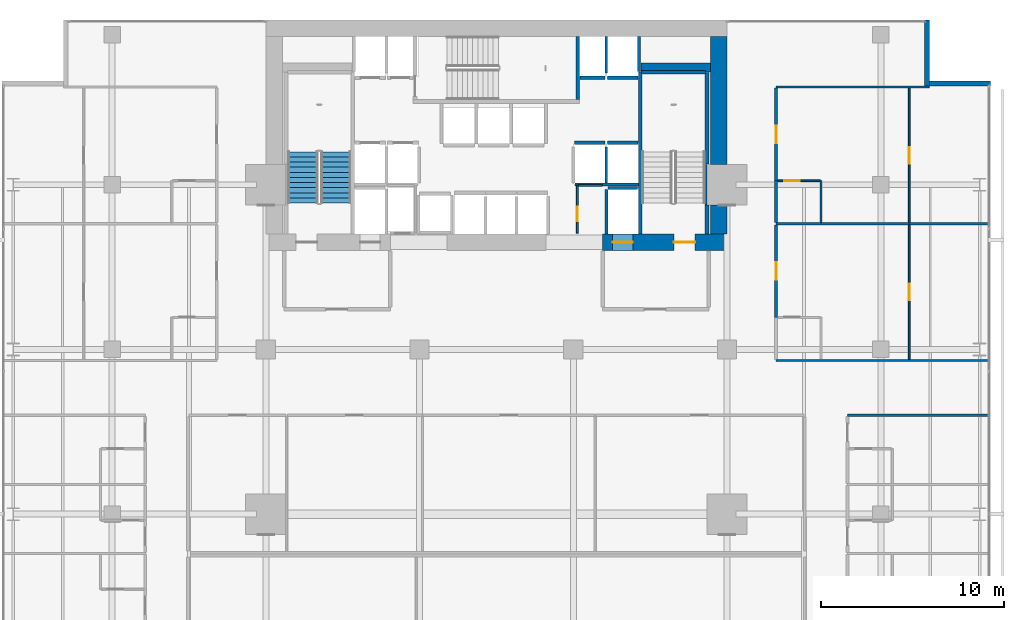
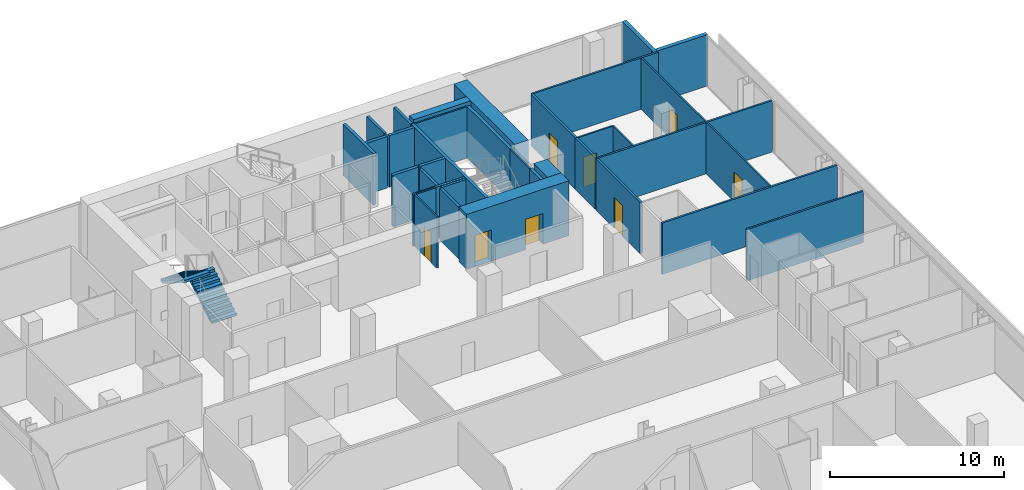
# One storey, part 37 of 40: 35 walls, 8 doors, 2 stair flights, 8 openings, 1 element without a shape of its own.
"""IFC4 building model written with IfcOpenShell, lengths in metres."""

from ifc_helpers import new_model, si_unit, direction, frame, frame_2d, origin, place, context, subcontext, project, spatial, polyline, rectangle, outline, extrude, material, layer, layer_set, type_object, element, fill, aggregate, save


model = new_model("IFC4")

# Units and contexts
model_context = context("Model", 3, precision=1e-05, world=origin(), true_north=direction((0.0, 1.0)))
body_context = subcontext(model_context, "Body", "Model", "MODEL_VIEW")
ifc_project = project(units=[si_unit("LENGTHUNIT", "METRE"), si_unit("AREAUNIT", "SQUARE_METRE"), si_unit("VOLUMEUNIT", "CUBIC_METRE"), si_unit("PLANEANGLEUNIT", "RADIAN"), si_unit("MASSUNIT", "GRAM", prefix="KILO")], contexts=[model_context])

# Site, building, storey
site_placement = place(None, origin())
site = spatial("IfcSite", under=ifc_project, at=site_placement, CompositionType="ELEMENT")
building_placement = place(site_placement, origin())
building = spatial("IfcBuilding", under=site, at=building_placement, Name="Maruvema Waterfront Hotel and Observation Tower", CompositionType="ELEMENT")
storey_placement = place(building_placement, frame((0.0, 0.0, 103.949951171875)))
storey = spatial("IfcBuildingStorey", under=building, at=storey_placement, Name="L25", CompositionType="ELEMENT", Elevation=103.949951171875)

# Wall, opening, door
ifc_material_1 = material(Name="Twin-stud acoustic gypsum drywall", Category="gypsum")
ifc_layer_1 = layer(ifc_material_1, 0.14990234375, Name="Acoustic Corridor and Suite Demising Wall 150 mm")
ifc_layer_set_1 = layer_set([ifc_layer_1], Name="Twin-stud acoustic gypsum drywall")
wall_type_1 = type_object("IfcWallType", Name="Acoustic Corridor and Suite Demising Wall 150 mm", PredefinedType="PARTITIONING", material=ifc_layer_set_1)
wall_1_placement = place(storey_placement, frame((53.080078125, 37.75, 0.0), z_axis=(0.0, 0.0, 1.0), x_axis=(0.0, 1.0, 0.0)))
wall_1 = element("IfcWall", 1, at=wall_1_placement, inside=storey, type_object=wall_type_1, Name="L25 Room L25-NE1 Corridor Wall 109", PredefinedType="PARTITIONING", context=body_context, shape_type="SweptSolid", body=[
    extrude(rectangle(XDim=5.05859375, YDim=0.14990234375, at=frame_2d((2.529296875, 0.0))), origin(), (0.0, 0.0, 1.0), 3.610107421875),
])
opening_1_placement = place(wall_1_placement, frame((2.054443359375, 0.0, 0.0)))
opening_1 = element("IfcOpeningElement", 2, at=opening_1_placement, cuts=wall_1, Name="Opening DR-095", PredefinedType="OPENING", context=body_context, shape_type="SweptSolid", body=[
    extrude(rectangle(XDim=0.949951171875, YDim=2.14990234375, at=frame_2d((0.47509765625, 1.074951171875))), frame((0.0, 0.0849609375, 0.0), z_axis=(0.0, -1.0, 0.0), x_axis=(1.0, 0.0, 0.0)), (0.0, 0.0, 1.0), 0.169921875),
])
ifc_material_2 = material(Name="Acoustic solid-core hardwood timber leaf", Category="wood")
door_type_1 = type_object("IfcDoorType", Name="Guestroom Entrance Fire Door 950x2150 mm", OperationType="NOTDEFINED", PredefinedType="DOOR", material=ifc_material_2)
door_1_placement = place(opening_1_placement, frame((0.949951171875, 0.0, 0.0), z_axis=(0.0, 0.0, 1.0), x_axis=(-1.0, 0.0, 0.0)))
door_1 = element("IfcDoor", 3, at=door_1_placement, inside=storey, type_object=door_type_1, Name="L25 Room L25-NE1 Entrance Door", OperationType="SINGLE_SWING_RIGHT", OverallHeight=2.14990234375, OverallWidth=0.949951171875, PredefinedType="DOOR", context=body_context, shape_type="SweptSolid", body=[
    extrude(rectangle(XDim=0.949951171875, YDim=2.14990234375, at=frame_2d((0.47509765625, 1.074951171875))), frame((0.0, 0.02490234375, 0.0), z_axis=(0.0, -1.0, 0.0), x_axis=(1.0, 0.0, 0.0)), (0.0, 0.0, 1.0), 0.050048828125),
])
fill(opening_1, door_1)

# Wall
wall_2_placement = place(storey_placement, frame((53.080078125, 42.9287109375, 0.0), z_axis=(0.0, 0.0, 1.0), x_axis=(0.0, 1.0, 0.0)))
element("IfcWall", 4, at=wall_2_placement, inside=storey, type_object=wall_type_1, Name="L25 Bath L25-NE2 Wall 120", PredefinedType="PARTITIONING", context=body_context, shape_type="SweptSolid", body=[
    extrude(rectangle(XDim=2.2900390625, YDim=0.14990234375, at=frame_2d((1.14501953125, 0.0))), origin(), (0.0, 0.0, 1.0), 3.610107421875),
])

# Wall, opening, door
wall_3_placement = place(storey_placement, frame((53.080078125, 45.21875, 0.0), z_axis=(0.0, 0.0, 1.0), x_axis=(0.0, 1.0, 0.0)))
wall_3 = element("IfcWall", 5, at=wall_3_placement, inside=storey, type_object=wall_type_1, Name="L25 Room L25-NE2 Corridor Wall 121", PredefinedType="PARTITIONING", context=body_context, shape_type="SweptSolid", body=[
    extrude(rectangle(XDim=5.058837890625, YDim=0.14990234375, at=frame_2d((2.529296875, 0.0))), origin(), (0.0, 0.0, 1.0), 3.610107421875),
])
opening_2_placement = place(wall_3_placement, frame((2.054443359375, 0.0, 0.0)))
opening_2 = element("IfcOpeningElement", 6, at=opening_2_placement, cuts=wall_3, Name="Opening DR-095", PredefinedType="OPENING", context=body_context, shape_type="SweptSolid", body=[
    extrude(rectangle(XDim=0.949951171875, YDim=2.14990234375, at=frame_2d((0.47509765625, 1.074951171875))), frame((0.0, 0.0849609375, 0.0), z_axis=(0.0, -1.0, 0.0), x_axis=(1.0, 0.0, 0.0)), (0.0, 0.0, 1.0), 0.169921875),
])
door_2_placement = place(opening_2_placement, frame((0.949951171875, 0.0, 0.0), z_axis=(0.0, 0.0, 1.0), x_axis=(-1.0, 0.0, 0.0)))
door_2 = element("IfcDoor", 7, at=door_2_placement, inside=storey, type_object=door_type_1, Name="L25 Room L25-NE2 Entrance Door", OperationType="SINGLE_SWING_RIGHT", OverallHeight=2.14990234375, OverallWidth=0.949951171875, PredefinedType="DOOR", context=body_context, shape_type="SweptSolid", body=[
    extrude(rectangle(XDim=0.949951171875, YDim=2.14990234375, at=frame_2d((0.47509765625, 1.074951171875))), frame((0.0, 0.02490234375, 0.0), z_axis=(0.0, -1.0, 0.0), x_axis=(1.0, 0.0, 0.0)), (0.0, 0.0, 1.0), 0.050048828125),
])
fill(opening_2, door_2)

# Walls
ifc_material_3 = material(Name="Precast concrete C45/55", Category="concrete")
ifc_layer_2 = layer(ifc_material_3, 0.199951171875, Name="Core Shaft and Stairwell Enclosure Wall 200 mm")
ifc_layer_set_2 = layer_set([ifc_layer_2], Name="Precast concrete C45/55")
wall_type_2 = type_object("IfcWallType", Name="Core Shaft and Stairwell Enclosure Wall 200 mm", PredefinedType="SOLIDWALL", material=ifc_layer_set_2)
wall_4_placement = place(storey_placement, frame((42.25, 49.64990234375, 0.0), z_axis=(0.0, 0.0, 1.0), x_axis=(0.0, 1.0, 0.0)))
element("IfcWall", 8, at=wall_4_placement, inside=storey, type_object=wall_type_2, Name="L25 Stairwell ST-02 Shaft Wall", PredefinedType="SOLIDWALL", context=body_context, shape_type="SweptSolid", body=[
    extrude(rectangle(XDim=3.4501953125, YDim=0.199951171875, at=frame_2d((1.72509765625, 0.0))), origin(), (0.0, 0.0, 1.0), 3.610107421875),
])
wall_5_placement = place(storey_placement, frame((45.64990234375, 42.300048828125, 0.0), z_axis=(0.0, 0.0, 1.0), x_axis=(0.0, 1.0, 0.0)))
element("IfcWall", 9, at=wall_5_placement, inside=storey, type_object=wall_type_2, Name="L25 Stairwell ST-03 West Shaft Wall", PredefinedType="SOLIDWALL", context=body_context, shape_type="SweptSolid", body=[
    extrude(rectangle(XDim=8.849853515625, YDim=0.199951171875, at=frame_2d((4.4248046875, 0.0))), origin(), (0.0, 0.0, 1.0), 3.610107421875),
])
wall_6_placement = place(storey_placement, frame((49.300048828125, 42.300048828125, 0.0), z_axis=(0.0, 0.0, 1.0), x_axis=(0.0, 1.0, 0.0)))
element("IfcWall", 10, at=wall_6_placement, inside=storey, type_object=wall_type_2, Name="L25 Stairwell ST-03 Shaft Lining Wall", PredefinedType="SOLIDWALL", context=body_context, shape_type="SweptSolid", body=[
    extrude(rectangle(XDim=1.579833984375, YDim=0.199951171875, at=frame_2d((0.7900390625, 0.0))), origin(), (0.0, 0.0, 1.0), 3.610107421875),
])
wall_7_placement = place(storey_placement, frame((49.300048828125, 46.1201171875, 0.0), z_axis=(0.0, 0.0, 1.0), x_axis=(0.0, 1.0, 0.0)))
element("IfcWall", 11, at=wall_7_placement, inside=storey, type_object=wall_type_2, Name="L25 Stairwell ST-03 Shaft Lining Wall", PredefinedType="SOLIDWALL", context=body_context, shape_type="SweptSolid", body=[
    extrude(rectangle(XDim=5.0, YDim=0.199951171875, at=frame_2d((2.5, 0.0))), origin(), (0.0, 0.0, 1.0), 3.610107421875),
])
wall_8_placement = place(storey_placement, frame((45.719970703125, 51.14990234375, 0.0), z_axis=(0.0, 0.0, 1.0), x_axis=(1.0, 0.0, 0.0)))
element("IfcWall", 12, at=wall_8_placement, inside=storey, type_object=wall_type_2, Name="L25 Stairwell ST-03 Shaft Lining Wall", PredefinedType="SOLIDWALL", context=body_context, shape_type="SweptSolid", body=[
    extrude(rectangle(XDim=3.5, YDim=0.199951171875, at=frame_2d((1.75, 0.0))), origin(), (0.0, 0.0, 1.0), 3.610107421875),
])
for number, where, z_axis, x_axis, name in (
    (13, (42.06005859375, 47.300048828125, 0.0), (0.0, 0.0, 1.0), (1.0, 0.0, 0.0), "L25 Lift LF-05 Hoistway Front Wall"),
    (14, (43.860107421875, 47.300048828125, 0.0), (0.0, 0.0, 1.0), (1.0, 0.0, 0.0), "L25 Lift LF-06 Hoistway Front Wall"),
):
    element("IfcWall", number, at=place(storey_placement, frame(where, z_axis=z_axis, x_axis=x_axis)), inside=storey, type_object=wall_type_2, Name=name, PredefinedType="SOLIDWALL", context=body_context, shape_type="SweptSolid", body=[
        extrude(rectangle(XDim=1.679931640625, YDim=0.199951171875, at=frame_2d((0.83984375, 0.0))), origin(), (0.0, 0.0, 1.0), 3.610107421875),
    ])
wall_9_placement = place(storey_placement, frame((42.360107421875, 50.85009765625, 0.0), z_axis=(0.0, 0.0, 1.0), x_axis=(1.0, 0.0, 0.0)))
element("IfcWall", 15, at=wall_9_placement, inside=storey, type_object=wall_type_2, Name="L25 Lift LF-07 Hoistway Front Wall", PredefinedType="SOLIDWALL", context=body_context, shape_type="SweptSolid", body=[
    extrude(rectangle(XDim=1.3798828125, YDim=0.199951171875, at=frame_2d((0.68994140625, 0.0))), origin(), (0.0, 0.0, 1.0), 3.610107421875),
])
wall_10_placement = place(storey_placement, frame((43.860107421875, 50.85009765625, 0.0), z_axis=(0.0, 0.0, 1.0), x_axis=(1.0, 0.0, 0.0)))
element("IfcWall", 16, at=wall_10_placement, inside=storey, type_object=wall_type_2, Name="L25 Lift LF-08 Hoistway Front Wall", PredefinedType="SOLIDWALL", context=body_context, shape_type="SweptSolid", body=[
    extrude(rectangle(XDim=1.679931640625, YDim=0.199951171875, at=frame_2d((0.83984375, 0.0))), origin(), (0.0, 0.0, 1.0), 3.610107421875),
])
ifc_material_4 = material(Name="Concrete C70/85", Category="concrete")
ifc_layer_3 = layer(ifc_material_4, 0.5, Name="Core Shear Wall 500 mm")
ifc_layer_set_3 = layer_set([ifc_layer_3], Name="Concrete C70/85")
wall_type_3 = type_object("IfcWallType", Name="Core Shear Wall 500 mm", PredefinedType="SHEAR", material=ifc_layer_set_3)
wall_11_placement = place(storey_placement, frame((45.699951171875, 51.39990234375, 0.0), z_axis=(0.0, 0.0, 1.0), x_axis=(1.0, 0.0, 0.0)))
element("IfcWall", 17, at=wall_11_placement, inside=storey, type_object=wall_type_3, Name="L25 Internal Core Shear Wall NE 500 mm", PredefinedType="SHEAR", context=body_context, shape_type="SweptSolid", body=[
    extrude(rectangle(XDim=3.800048828125, YDim=0.5, at=frame_2d((1.89990234375, 0.0))), origin(), (0.0, 0.0, 1.0), 3.85009765625),
])

# Wall, openings, doors
ifc_material_5 = material(Name="Concrete C80/95", Category="concrete")
ifc_layer_4 = layer(ifc_material_5, 0.89990234375, Name="Core Shear Wall 900 mm")
ifc_layer_set_4 = layer_set([ifc_layer_4], Name="Concrete C80/95")
wall_type_4 = type_object("IfcWallType", Name="Core Shear Wall 900 mm", PredefinedType="SHEAR", material=ifc_layer_set_4)
wall_12_placement = place(storey_placement, frame((43.60009765625, 41.85009765625, 0.0), z_axis=(0.0, 0.0, 1.0), x_axis=(1.0, 0.0, 0.0)))
wall_12 = element("IfcWall", 18, at=wall_12_placement, inside=storey, type_object=wall_type_4, Name="L25 South-East Core Shear Wall", PredefinedType="SHEAR", context=body_context, shape_type="SweptSolid", body=[
    extrude(rectangle(XDim=6.7998046875, YDim=0.89990234375, at=frame_2d((3.39990234375, 0.0))), origin(), (0.0, 0.0, 1.0), 3.85009765625),
])
opening_3_placement = place(wall_12_placement, frame((3.89990234375, 0.0, 0.0)))
opening_3 = element("IfcOpeningElement", 19, at=opening_3_placement, cuts=wall_12, Name="Opening SD-01", PredefinedType="OPENING", context=body_context, shape_type="SweptSolid", body=[
    extrude(rectangle(XDim=1.14990234375, YDim=2.14990234375, at=frame_2d((0.574951171875, 1.074951171875))), frame((0.0, 0.4599609375, 0.0), z_axis=(0.0, -1.0, 0.0), x_axis=(1.0, 0.0, 0.0)), (0.0, 0.0, 1.0), 0.919921875),
])
opening_4_placement = place(wall_12_placement, frame((0.550048828125, 0.0, 0.0)))
opening_4 = element("IfcOpeningElement", 20, at=opening_4_placement, cuts=wall_12, Name="Opening LD-03", PredefinedType="OPENING", context=body_context, shape_type="SweptSolid", body=[
    extrude(rectangle(XDim=1.10009765625, YDim=2.199951171875, at=frame_2d((0.550048828125, 1.10009765625))), frame((0.0, 0.4599609375, 0.0), z_axis=(0.0, -1.0, 0.0), x_axis=(1.0, 0.0, 0.0)), (0.0, 0.0, 1.0), 0.919921875),
])
ifc_material_6 = material(Name="Fire-rated galvanised steel leaf", Category="steel")
door_type_2 = type_object("IfcDoorType", Name="Exit Stair Fire Door 1150x2150 mm", OperationType="NOTDEFINED", PredefinedType="DOOR", material=ifc_material_6)
door_3_placement = place(opening_3_placement, origin())
door_3 = element("IfcDoor", 21, at=door_3_placement, inside=storey, type_object=door_type_2, Name="L25 Exit Stair ST-03 Fire Door", OperationType="SINGLE_SWING_RIGHT", OverallHeight=2.14990234375, OverallWidth=1.14990234375, PredefinedType="DOOR", context=body_context, shape_type="SweptSolid", body=[
    extrude(rectangle(XDim=1.14990234375, YDim=2.14990234375, at=frame_2d((0.574951171875, 1.074951171875))), frame((0.0, 0.02490234375, 0.0), z_axis=(0.0, -1.0, 0.0), x_axis=(1.0, 0.0, 0.0)), (0.0, 0.0, 1.0), 0.050048828125),
])
fill(opening_3, door_3)
ifc_material_7 = material(Name="Brushed stainless steel Grade 316", Category="steel")
door_type_3 = type_object("IfcDoorType", Name="Firefighting Lift Sliding Landing Door 1100x2200 mm", OperationType="SLIDING_TO_LEFT", PredefinedType="DOOR", material=ifc_material_7)
door_4_placement = place(opening_4_placement, frame((1.10009765625, 0.0, 0.0), z_axis=(0.0, 0.0, 1.0), x_axis=(-1.0, 0.0, 0.0)))
door_4 = element("IfcDoor", 22, at=door_4_placement, inside=storey, type_object=door_type_3, Name="L25 Firefighting Lift FL-02 Landing Door", OperationType="SLIDING_TO_LEFT", OverallHeight=2.199951171875, OverallWidth=1.10009765625, PredefinedType="DOOR", context=body_context, shape_type="SweptSolid", body=[
    extrude(rectangle(XDim=1.10009765625, YDim=2.199951171875, at=frame_2d((0.550048828125, 1.10009765625))), frame((0.0, 0.02490234375, 0.0), z_axis=(0.0, -1.0, 0.0), x_axis=(1.0, 0.0, 0.0)), (0.0, 0.0, 1.0), 0.050048828125),
])
fill(opening_4, door_4)

# Walls
wall_13_placement = place(storey_placement, frame((49.949951171875, 42.300048828125, 0.0), z_axis=(0.0, 0.0, 1.0), x_axis=(0.0, 1.0, 0.0)))
element("IfcWall", 23, at=wall_13_placement, inside=storey, type_object=wall_type_4, Name="L25 East-South Core Shear Wall", PredefinedType="SHEAR", context=body_context, shape_type="SweptSolid", body=[
    extrude(rectangle(XDim=1.599853515625, YDim=0.89990234375, at=frame_2d((0.7998046875, 0.0))), origin(), (0.0, 0.0, 1.0), 3.85009765625),
])
wall_14_placement = place(storey_placement, frame((49.949951171875, 46.10009765625, 0.0), z_axis=(0.0, 0.0, 1.0), x_axis=(0.0, 1.0, 0.0)))
element("IfcWall", 24, at=wall_14_placement, inside=storey, type_object=wall_type_4, Name="L25 East-North Core Shear Wall", PredefinedType="SHEAR", context=body_context, shape_type="SweptSolid", body=[
    extrude(rectangle(XDim=7.0, YDim=0.89990234375, at=frame_2d((3.5, 0.0))), origin(), (0.0, 0.0, 1.0), 3.85009765625),
])

# Wall, opening, door
ifc_material_8 = material(Name="Moisture-resistant cement-board drywall", Category="gypsum")
ifc_layer_5 = layer(ifc_material_8, 0.10009765625, Name="En-Suite Moisture-Resistant Partition 100 mm")
ifc_layer_set_5 = layer_set([ifc_layer_5], Name="Moisture-resistant cement-board drywall")
wall_type_5 = type_object("IfcWallType", Name="En-Suite Moisture-Resistant Partition 100 mm", PredefinedType="PARTITIONING", material=ifc_layer_set_5)
wall_15_placement = place(storey_placement, frame((42.219970703125, 42.35009765625, 0.0), z_axis=(0.0, 0.0, 1.0), x_axis=(0.0, 1.0, 0.0)))
wall_15 = element("IfcWall", 25, at=wall_15_placement, inside=storey, type_object=wall_type_5, Name="L25 Core Closet K1 West 010", PredefinedType="PARTITIONING", context=body_context, shape_type="SweptSolid", body=[
    extrude(rectangle(XDim=2.60986328125, YDim=0.10009765625, at=frame_2d((1.304931640625, 0.0))), origin(), (0.0, 0.0, 1.0), 3.610107421875),
])
opening_5_placement = place(wall_15_placement, frame((0.64990234375, 0.0, 0.0)))
opening_5 = element("IfcOpeningElement", 26, at=opening_5_placement, cuts=wall_15, Name="Opening DR-080", PredefinedType="OPENING", context=body_context, shape_type="SweptSolid", body=[
    extrude(rectangle(XDim=0.800048828125, YDim=2.050048828125, at=frame_2d((0.39990234375, 1.02490234375))), frame((0.0, 0.06005859375, 0.0), z_axis=(0.0, -1.0, 0.0), x_axis=(1.0, 0.0, 0.0)), (0.0, 0.0, 1.0), 0.1201171875),
])
ifc_material_9 = material(Name="Powder-coated steel access leaf", Category="steel")
door_type_4 = type_object("IfcDoorType", Name="Riser and Service Cupboard Door 800x2050 mm", OperationType="NOTDEFINED", PredefinedType="DOOR", material=ifc_material_9)
door_5_placement = place(opening_5_placement, frame((0.800048828125, 0.0, 0.0), z_axis=(0.0, 0.0, 1.0), x_axis=(-1.0, 0.0, 0.0)))
door_5 = element("IfcDoor", 27, at=door_5_placement, inside=storey, type_object=door_type_4, Name="L25 Core Cleaning Store Door", OperationType="SINGLE_SWING_LEFT", OverallHeight=2.050048828125, OverallWidth=0.800048828125, PredefinedType="DOOR", context=body_context, shape_type="SweptSolid", body=[
    extrude(rectangle(XDim=0.800048828125, YDim=2.050048828125, at=frame_2d((0.39990234375, 1.02490234375))), frame((0.0, 0.02490234375, 0.0), z_axis=(0.0, -1.0, 0.0), x_axis=(1.0, 0.0, 0.0)), (0.0, 0.0, 1.0), 0.050048828125),
])
fill(opening_5, door_5)

# Wall
wall_16_placement = place(storey_placement, frame((42.280029296875, 44.9599609375, 0.0), z_axis=(0.0, 0.0, 1.0), x_axis=(1.0, 0.0, 0.0)))
element("IfcWall", 28, at=wall_16_placement, inside=storey, type_object=wall_type_5, Name="L25 Core Closet K1 North 011", PredefinedType="PARTITIONING", context=body_context, shape_type="SweptSolid", body=[
    extrude(rectangle(XDim=1.300048828125, YDim=0.10009765625, at=frame_2d((0.64990234375, 0.0))), origin(), (0.0, 0.0, 1.0), 3.610107421875),
])

# Wall, opening, door
wall_17_placement = place(storey_placement, frame((60.350341796875, 35.4599609375, 0.0), z_axis=(0.0, 0.0, 1.0), x_axis=(0.0, 1.0, 0.0)))
wall_17 = element("IfcWall", 29, at=wall_17_placement, inside=storey, type_object=wall_type_5, Name="L25 Suite L25-NE1 Split 112", PredefinedType="PARTITIONING", context=body_context, shape_type="SweptSolid", body=[
    extrude(rectangle(XDim=7.3486328125, YDim=0.10009765625, at=frame_2d((3.67431640625, 0.0))), origin(), (0.0, 0.0, 1.0), 3.610107421875),
])
opening_6_placement = place(wall_17_placement, frame((3.224365234375, 0.0, 0.0)))
opening_6 = element("IfcOpeningElement", 30, at=opening_6_placement, cuts=wall_17, Name="Opening DR-090", PredefinedType="OPENING", context=body_context, shape_type="SweptSolid", body=[
    extrude(rectangle(XDim=0.89990234375, YDim=2.10009765625, at=frame_2d((0.449951171875, 1.050048828125))), frame((0.0, 0.06005859375, 0.0), z_axis=(0.0, -1.0, 0.0), x_axis=(1.0, 0.0, 0.0)), (0.0, 0.0, 1.0), 0.1201171875),
])
ifc_material_10 = material(Name="Solid-core lacquered timber leaf", Category="wood")
door_type_5 = type_object("IfcDoorType", Name="Accessible Toilet and Room Door 900x2100 mm", OperationType="NOTDEFINED", PredefinedType="DOOR", material=ifc_material_10)
door_6_placement = place(opening_6_placement, frame((0.89990234375, 0.0, 0.0), z_axis=(0.0, 0.0, 1.0), x_axis=(-1.0, 0.0, 0.0)))
door_6 = element("IfcDoor", 31, at=door_6_placement, inside=storey, type_object=door_type_5, Name="L25 Suite L25-NE1 Bedroom Door", OperationType="SINGLE_SWING_LEFT", OverallHeight=2.10009765625, OverallWidth=0.89990234375, PredefinedType="DOOR", context=body_context, shape_type="SweptSolid", body=[
    extrude(rectangle(XDim=0.89990234375, YDim=2.10009765625, at=frame_2d((0.449951171875, 1.050048828125))), frame((0.0, 0.02490234375, 0.0), z_axis=(0.0, -1.0, 0.0), x_axis=(1.0, 0.0, 0.0)), (0.0, 0.0, 1.0), 0.050048828125),
])
fill(opening_6, door_6)

# Wall
wall_18_placement = place(storey_placement, frame((55.530029296875, 42.9287109375, 0.0), z_axis=(0.0, 0.0, 1.0), x_axis=(0.0, 1.0, 0.0)))
element("IfcWall", 32, at=wall_18_placement, inside=storey, type_object=wall_type_5, Name="L25 En-Suite L25-NE2 E 122", PredefinedType="PARTITIONING", context=body_context, shape_type="SweptSolid", body=[
    extrude(rectangle(XDim=2.2900390625, YDim=0.10009765625, at=frame_2d((1.14501953125, 0.0))), origin(), (0.0, 0.0, 1.0), 3.610107421875),
])

# Wall, opening, door
wall_19_placement = place(storey_placement, frame((53.179931640625, 45.21875, 0.0), z_axis=(0.0, 0.0, 1.0), x_axis=(1.0, 0.0, 0.0)))
wall_19 = element("IfcWall", 33, at=wall_19_placement, inside=storey, type_object=wall_type_5, Name="L25 En-Suite L25-NE2 N 123", PredefinedType="PARTITIONING", context=body_context, shape_type="SweptSolid", body=[
    extrude(rectangle(XDim=2.300048828125, YDim=0.10009765625, at=frame_2d((1.14990234375, 0.0))), origin(), (0.0, 0.0, 1.0), 3.610107421875),
])
opening_7_placement = place(wall_19_placement, frame((0.35009765625, 0.0, 0.0)))
opening_7 = element("IfcOpeningElement", 34, at=opening_7_placement, cuts=wall_19, Name="Opening DR-085", PredefinedType="OPENING", context=body_context, shape_type="SweptSolid", body=[
    extrude(rectangle(XDim=0.85009765625, YDim=2.10009765625, at=frame_2d((0.425048828125, 1.050048828125))), frame((0.0, 0.06005859375, 0.0), z_axis=(0.0, -1.0, 0.0), x_axis=(1.0, 0.0, 0.0)), (0.0, 0.0, 1.0), 0.1201171875),
])
ifc_material_11 = material(Name="Moisture-resistant solid timber leaf", Category="wood")
door_type_6 = type_object("IfcDoorType", Name="En-Suite Bathroom Door 850x2100 mm", OperationType="NOTDEFINED", PredefinedType="DOOR", material=ifc_material_11)
door_7_placement = place(opening_7_placement, origin())
door_7 = element("IfcDoor", 35, at=door_7_placement, inside=storey, type_object=door_type_6, Name="L25 En-Suite L25-NE2 Door", OperationType="SINGLE_SWING_LEFT", OverallHeight=2.10009765625, OverallWidth=0.85009765625, PredefinedType="DOOR", context=body_context, shape_type="SweptSolid", body=[
    extrude(rectangle(XDim=0.85009765625, YDim=2.10009765625, at=frame_2d((0.425048828125, 1.050048828125))), frame((0.0, 0.02490234375, 0.0), z_axis=(0.0, -1.0, 0.0), x_axis=(1.0, 0.0, 0.0)), (0.0, 0.0, 1.0), 0.050048828125),
])
fill(opening_7, door_7)

wall_20_placement = place(storey_placement, frame((60.350341796875, 42.9287109375, 0.0), z_axis=(0.0, 0.0, 1.0), x_axis=(0.0, 1.0, 0.0)))
wall_20 = element("IfcWall", 36, at=wall_20_placement, inside=storey, type_object=wall_type_5, Name="L25 Suite L25-NE2 Split 124", PredefinedType="PARTITIONING", context=body_context, shape_type="SweptSolid", body=[
    extrude(rectangle(XDim=7.348876953125, YDim=0.10009765625, at=frame_2d((3.67431640625, 0.0))), origin(), (0.0, 0.0, 1.0), 3.610107421875),
])
opening_8_placement = place(wall_20_placement, frame((3.224365234375, 0.0, 0.0)))
opening_8 = element("IfcOpeningElement", 37, at=opening_8_placement, cuts=wall_20, Name="Opening DR-090", PredefinedType="OPENING", context=body_context, shape_type="SweptSolid", body=[
    extrude(rectangle(XDim=0.89990234375, YDim=2.10009765625, at=frame_2d((0.449951171875, 1.050048828125))), frame((0.0, 0.06005859375, 0.0), z_axis=(0.0, -1.0, 0.0), x_axis=(1.0, 0.0, 0.0)), (0.0, 0.0, 1.0), 0.1201171875),
])
door_8_placement = place(opening_8_placement, frame((0.89990234375, 0.0, 0.0), z_axis=(0.0, 0.0, 1.0), x_axis=(-1.0, 0.0, 0.0)))
door_8 = element("IfcDoor", 38, at=door_8_placement, inside=storey, type_object=door_type_5, Name="L25 Suite L25-NE2 Bedroom Door", OperationType="SINGLE_SWING_LEFT", OverallHeight=2.10009765625, OverallWidth=0.89990234375, PredefinedType="DOOR", context=body_context, shape_type="SweptSolid", body=[
    extrude(rectangle(XDim=0.89990234375, YDim=2.10009765625, at=frame_2d((0.449951171875, 1.050048828125))), frame((0.0, 0.02490234375, 0.0), z_axis=(0.0, -1.0, 0.0), x_axis=(1.0, 0.0, 0.0)), (0.0, 0.0, 1.0), 0.050048828125),
])
fill(opening_8, door_8)

# Walls
ifc_material_12 = material(Name="Precast concrete C45/55 with honed Pernambuco granite facing", Category="masonry")
ifc_layer_6 = layer(ifc_material_12, 0.260009765625, Name="Exterior Granite Clad Spandrel and Pier Wall 260 mm")
ifc_layer_set_6 = layer_set([ifc_layer_6], Name="Precast concrete C45/55 with honed Pernambuco granite facing")
wall_type_6 = type_object("IfcWallType", Name="Exterior Granite Clad Spandrel and Pier Wall 260 mm", PredefinedType="SOLIDWALL", material=ifc_layer_set_6)
for number, where, z_axis, x_axis, name in (
    (39, (61.330078125, 54.0, 0.0), (0.0, 0.0, 1.0), (0.0, -1.0, 0.0), "L25 Corner Notch Granite Pier Wall NE1"),
    (40, (61.199951171875, 50.530029296875, 0.0), (0.0, 0.0, 1.0), (1.0, 0.0, 0.0), "L25 Corner Notch Granite Pier Wall NE2"),
):
    element("IfcWall", number, at=place(storey_placement, frame(where, z_axis=z_axis, x_axis=x_axis)), inside=storey, type_object=wall_type_6, Name=name, PredefinedType="SOLIDWALL", context=body_context, shape_type="SweptSolid", body=[
        extrude(rectangle(XDim=3.60009765625, YDim=0.260009765625, at=frame_2d((1.800048828125, 0.0))), origin(), (0.0, 0.0, 1.0), 3.610107421875),
    ])
ifc_material_13 = material(Name="Acoustic gypsum plasterboard drywall", Category="gypsum")
ifc_layer_7 = layer(ifc_material_13, 0.125, Name="Guestroom Acoustic Demising Wall 125 mm")
ifc_layer_set_7 = layer_set([ifc_layer_7], Name="Acoustic gypsum plasterboard drywall")
wall_type_7 = type_object("IfcWallType", Name="Guestroom Acoustic Demising Wall 125 mm", PredefinedType="PARTITIONING", material=ifc_layer_set_7)
wall_21_placement = place(storey_placement, frame((56.97998046875, 32.39990234375, 0.0), z_axis=(0.0, 0.0, 1.0), x_axis=(1.0, 0.0, 0.0)))
element("IfcWall", 41, at=wall_21_placement, inside=storey, type_object=wall_type_7, Name="L25 E Top End 060", PredefinedType="PARTITIONING", context=body_context, shape_type="SweptSolid", body=[
    extrude(rectangle(XDim=7.719970703125, YDim=0.125, at=frame_2d((3.85986328125, 0.0))), origin(), (0.0, 0.0, 1.0), 3.610107421875),
])
wall_22_placement = place(storey_placement, frame((53.080078125, 35.39990234375, 0.0), z_axis=(0.0, 0.0, 1.0), x_axis=(1.0, 0.0, 0.0)))
element("IfcWall", 42, at=wall_22_placement, inside=storey, type_object=wall_type_7, Name="L25 NE Bot End 100", PredefinedType="PARTITIONING", context=body_context, shape_type="SweptSolid", body=[
    extrude(rectangle(XDim=11.619873046875, YDim=0.125, at=frame_2d((5.81005859375, 0.0))), origin(), (0.0, 0.0, 1.0), 3.610107421875),
])
wall_23_placement = place(storey_placement, frame((53.080078125, 50.33740234375, 0.0), z_axis=(0.0, 0.0, 1.0), x_axis=(1.0, 0.0, 0.0)))
element("IfcWall", 43, at=wall_23_placement, inside=storey, type_object=wall_type_7, Name="L25 NE Top End 102", PredefinedType="PARTITIONING", context=body_context, shape_type="SweptSolid", body=[
    extrude(rectangle(XDim=8.3798828125, YDim=0.125, at=frame_2d((4.18994140625, 0.0))), origin(), (0.0, 0.0, 1.0), 3.610107421875),
])
wall_24_placement = place(storey_placement, frame((53.080078125, 42.86865234375, 0.0), z_axis=(0.0, 0.0, 1.0), x_axis=(1.0, 0.0, 0.0)))
element("IfcWall", 44, at=wall_24_placement, inside=storey, type_object=wall_type_7, Name="L25 NE Demising 2 114", PredefinedType="PARTITIONING", context=body_context, shape_type="SweptSolid", body=[
    extrude(rectangle(XDim=11.619873046875, YDim=0.125, at=frame_2d((5.81005859375, 0.0))), origin(), (0.0, 0.0, 1.0), 3.610107421875),
])
ifc_material_14 = material(Name="Precast concrete C45/55", Category="concrete")
ifc_layer_8 = layer(ifc_material_14, 0.159912109375, Name="Lift Hoistway Divider Wall 160 mm")
ifc_layer_set_8 = layer_set([ifc_layer_8], Name="Precast concrete C45/55")
wall_type_8 = type_object("IfcWallType", Name="Lift Hoistway Divider Wall 160 mm", PredefinedType="SOLIDWALL", material=ifc_layer_set_8)
wall_25_placement = place(storey_placement, frame((43.89990234375, 44.830078125, 0.0), z_axis=(0.0, 0.0, 1.0), x_axis=(1.0, 0.0, 0.0)))
element("IfcWall", 45, at=wall_25_placement, inside=storey, type_object=wall_type_8, Name="L25 Lift FL-02 Rear Hoistway Wall", PredefinedType="SOLIDWALL", context=body_context, shape_type="SweptSolid", body=[
    extrude(rectangle(XDim=1.60009765625, YDim=0.159912109375, at=frame_2d((0.800048828125, 0.0))), origin(), (0.0, 0.0, 1.0), 3.610107421875),
])
wall_26_placement = place(storey_placement, frame((43.820068359375, 42.300048828125, 0.0), z_axis=(0.0, 0.0, 1.0), x_axis=(0.0, 1.0, 0.0)))
element("IfcWall", 46, at=wall_26_placement, inside=storey, type_object=wall_type_8, Name="L25 Lift FL-02 Inner Hoistway Wall", PredefinedType="SOLIDWALL", context=body_context, shape_type="SweptSolid", body=[
    extrude(rectangle(XDim=2.43994140625, YDim=0.159912109375, at=frame_2d((1.219970703125, 0.0))), origin(), (0.0, 0.0, 1.0), 3.610107421875),
])
wall_27_placement = place(storey_placement, frame((43.800048828125, 45.10009765625, 0.0), z_axis=(0.0, 0.0, 1.0), x_axis=(0.0, 1.0, 0.0)))
element("IfcWall", 47, at=wall_27_placement, inside=storey, type_object=wall_type_8, Name="L25 Hoistway Divider Wall", PredefinedType="SOLIDWALL", context=body_context, shape_type="SweptSolid", body=[
    extrude(rectangle(XDim=1.949951171875, YDim=0.159912109375, at=frame_2d((0.97509765625, 0.0))), origin(), (0.0, 0.0, 1.0), 3.610107421875),
])
wall_28_placement = place(storey_placement, frame((42.10009765625, 45.010009765625, 0.0), z_axis=(0.0, 0.0, 1.0), x_axis=(1.0, 0.0, 0.0)))
element("IfcWall", 48, at=wall_28_placement, inside=storey, type_object=wall_type_8, Name="L25 Hoistway Divider Wall", PredefinedType="SOLIDWALL", context=body_context, shape_type="SweptSolid", body=[
    extrude(rectangle(XDim=3.449951171875, YDim=0.159912109375, at=frame_2d((1.72509765625, 0.0))), origin(), (0.0, 0.0, 1.0), 3.610107421875),
])
wall_29_placement = place(storey_placement, frame((45.590087890625, 51.179931640625, 0.0), z_axis=(0.0, 0.0, 1.0), x_axis=(0.0, 1.0, 0.0)))
element("IfcWall", 49, at=wall_29_placement, inside=storey, type_object=wall_type_8, Name="L25 Hoistway Divider Wall", PredefinedType="SOLIDWALL", context=body_context, shape_type="SweptSolid", body=[
    extrude(rectangle(XDim=1.920166015625, YDim=0.159912109375, at=frame_2d((0.9599609375, 0.0))), origin(), (0.0, 0.0, 1.0), 3.610107421875),
])
wall_30_placement = place(storey_placement, frame((43.800048828125, 51.10009765625, 0.0), z_axis=(0.0, 0.0, 1.0), x_axis=(0.0, 1.0, 0.0)))
element("IfcWall", 50, at=wall_30_placement, inside=storey, type_object=wall_type_8, Name="L25 Hoistway Divider Wall", PredefinedType="SOLIDWALL", context=body_context, shape_type="SweptSolid", body=[
    extrude(rectangle(XDim=2.0, YDim=0.159912109375, at=frame_2d((1.0, 0.0))), origin(), (0.0, 0.0, 1.0), 3.610107421875),
])
ifc_material_15 = material(Name="Precast concrete C45/55", Category="concrete")
ifc_layer_9 = layer(ifc_material_15, 0.10009765625, Name="Stairwell Stringer Cheek Wall 100 mm")
ifc_layer_set_9 = layer_set([ifc_layer_9], Name="Precast concrete C45/55")
wall_type_9 = type_object("IfcWallType", Name="Stairwell Stringer Cheek Wall 100 mm", PredefinedType="SOLIDWALL", material=ifc_layer_set_9)
wall_31_placement = place(storey_placement, frame((49.248046875, 43.89990234375, 0.0), z_axis=(0.0, 0.0, 1.0), x_axis=(0.0, 1.0, 0.0)))
element("IfcWall", 51, at=wall_31_placement, inside=storey, type_object=wall_type_9, Name="L25 Stairwell ST-03 Mega-Column Cheek Wall", PredefinedType="SOLIDWALL", context=body_context, shape_type="SweptSolid", body=[
    extrude(rectangle(XDim=2.2001953125, YDim=0.10009765625, at=frame_2d((1.10009765625, 0.0))), origin(), (0.0, 0.0, 1.0), 3.610107421875),
])

# Stair, stair flights
ifc_material_16 = material(Name="Concrete C50/60", Category="concrete")
stair_type = type_object("IfcStairType", Name="Dogleg Exit Stair 1650 mm (22R x 175.0 mm)", PredefinedType="HALF_TURN_STAIR", material=ifc_material_16)
stair_placement = place(storey_placement, origin())
stair = element("IfcStair", 52, at=stair_placement, inside=storey, type_object=stair_type, Name="L25 ST-01", PredefinedType="HALF_TURN_STAIR")
ifc_material_17 = material(Name="Concrete C50/60", Category="concrete")
stair_flight_type = type_object("IfcStairFlightType", Name="Reinforced Concrete Stair Flight 1650 mm (11R x 175.0 mm)", PredefinedType="STRAIGHT", material=ifc_material_17)
stair_flight_1_placement = place(storey_placement, frame((29.02490234375, 44.0, 0.0), z_axis=(0.0, 0.0, 1.0), x_axis=(0.0, 1.0, 0.0)))
stair_flight_1 = element("IfcStairFlight", 53, at=stair_flight_1_placement, type_object=stair_flight_type, Name="ST-01 flight 1", NumberOfRisers=11, NumberOfTreads=10, PredefinedType="STRAIGHT", RiserHeight=0.175, TreadLength=0.28, context=body_context, shape_type="SweptSolid", body=[
    extrude(outline(polyline([(0.0, 0.0), (0.0, 0.175048828125), (0.280029296875, 0.175048828125), (0.280029296875, 0.35009765625), (0.56005859375, 0.35009765625), (0.56005859375, 0.52490234375), (0.840087890625, 0.52490234375), (0.840087890625, 0.699951171875), (1.1201171875, 0.699951171875), (1.1201171875, 0.875), (1.39990234375, 0.875), (1.39990234375, 1.050048828125), (1.679931640625, 1.050048828125), (1.679931640625, 1.22509765625), (1.9599609375, 1.22509765625), (1.9599609375, 1.39990234375), (2.239990234375, 1.39990234375), (2.239990234375, 1.574951171875), (2.52001953125, 1.574951171875), (2.52001953125, 1.75), (2.800048828125, 1.75), (2.800048828125, 1.925048828125), (2.800048828125, 1.5732421875), (0.28271484375, 0.0), (0.0, 0.0)])), frame((0.0, 0.824951171875, 0.0), z_axis=(0.0, -1.0, 0.0), x_axis=(1.0, 0.0, 0.0)), (0.0, 0.0, 1.0), 1.64990234375),
])
stair_flight_2_placement = place(storey_placement, frame((27.22509765625, 46.800048828125, 1.925048828125), z_axis=(0.0, 0.0, 1.0), x_axis=(0.0, -1.0, 0.0)))
stair_flight_2 = element("IfcStairFlight", 54, at=stair_flight_2_placement, type_object=stair_flight_type, Name="ST-01 flight 2", NumberOfRisers=11, NumberOfTreads=10, PredefinedType="STRAIGHT", RiserHeight=0.175, TreadLength=0.28, context=body_context, shape_type="SweptSolid", body=[
    extrude(outline(polyline([(0.0, 0.0), (0.0, 0.175048828125), (0.280029296875, 0.175048828125), (0.280029296875, 0.35009765625), (0.56005859375, 0.35009765625), (0.56005859375, 0.52490234375), (0.840087890625, 0.52490234375), (0.840087890625, 0.699951171875), (1.1201171875, 0.699951171875), (1.1201171875, 0.875), (1.39990234375, 0.875), (1.39990234375, 1.050048828125), (1.679931640625, 1.050048828125), (1.679931640625, 1.22509765625), (1.9599609375, 1.22509765625), (1.9599609375, 1.39990234375), (2.239990234375, 1.39990234375), (2.239990234375, 1.574951171875), (2.52001953125, 1.574951171875), (2.52001953125, 1.75), (2.800048828125, 1.75), (2.800048828125, 1.925048828125), (2.800048828125, 1.5732421875), (0.28271484375, 0.0), (0.0, 0.0)])), frame((0.0, 0.824951171875, 0.0), z_axis=(0.0, -1.0, 0.0), x_axis=(1.0, 0.0, 0.0)), (0.0, 0.0, 1.0), 1.64990234375),
])
aggregate(stair, [stair_flight_1, stair_flight_2])

save(model, "model.ifc")
